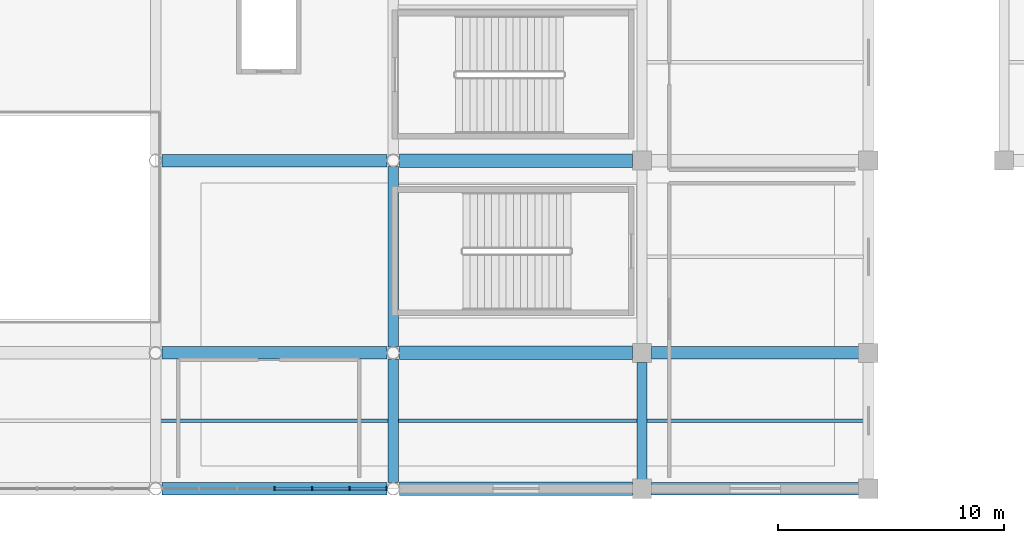
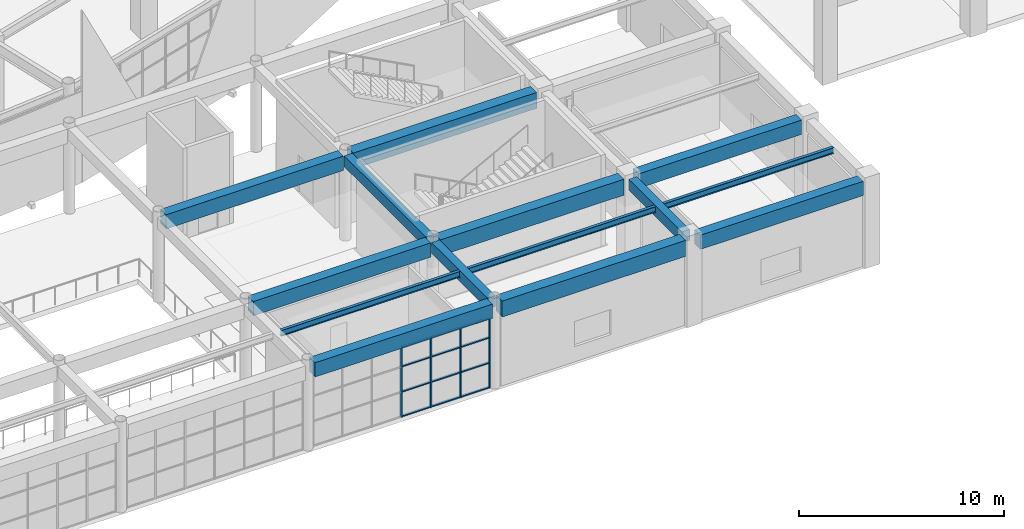
# One storey, part 26 of 120: 16 members, 14 beams, 1 element without a shape of its own.
"""IFC4 building model written with IfcOpenShell, lengths in metres."""

from ifc_helpers import new_model, si_unit, direction, frame, origin, origin_2d, place, context, subcontext, project, spatial, rectangle, i_section, extrude, material, material_profile, profile_set, type_object, element, aggregate, save


model = new_model("IFC4")

# Units and contexts
model_context = context("Model", 3, precision=1e-05, world=origin(), true_north=direction((0.0, 1.0)))
body_context = subcontext(model_context, "Body", "Model", "MODEL_VIEW")
ifc_project = project(units=[si_unit("LENGTHUNIT", "METRE"), si_unit("AREAUNIT", "SQUARE_METRE"), si_unit("VOLUMEUNIT", "CUBIC_METRE"), si_unit("PLANEANGLEUNIT", "RADIAN"), si_unit("MASSUNIT", "GRAM", prefix="KILO")], contexts=[model_context])

# Site, building, storey
site_placement = place(None, origin())
site = spatial("IfcSite", under=ifc_project, at=site_placement, CompositionType="ELEMENT")
building_placement = place(site_placement, origin())
building = spatial("IfcBuilding", under=site, at=building_placement, Name="Cuetzalor Civic Arena", CompositionType="ELEMENT")
storey_placement = place(building_placement, frame((0.0, 0.0, 6.0)))
storey = spatial("IfcBuildingStorey", under=building, at=storey_placement, Name="L01", CompositionType="ELEMENT", Elevation=6.0)

# Beams
ifc_material_1 = material(Name="Concrete C40/50", Category="concrete")
ifc_material_profile_1 = material_profile(ifc_material_1, rectangle(XDim=0.550048828125, YDim=0.85009765625, at=origin_2d()), Name="RC 550x850")
ifc_profile_set_1 = profile_set([ifc_material_profile_1], Name="Concrete C40/50")
beam_type_1 = type_object("IfcBeamType", Name="ConcreteFrameBeam_550x850", PredefinedType="BEAM", material=ifc_profile_set_1)
beam_1_placement = place(storey_placement, frame((10.76953125, -71.5, 4.695068359375), z_axis=(1.0, 0.0, 0.0), x_axis=(0.0, 1.0, 0.0)))
element("IfcBeam", 1, at=beam_1_placement, inside=storey, type_object=beam_type_1, Name="Frame Girder V3-L01-X0294", PredefinedType="BEAM", context=body_context, shape_type="SweptSolid", body=[
    extrude(rectangle(XDim=0.550048828125, YDim=0.85009765625, at=origin_2d()), origin(), (0.0, 0.0, 1.0), 9.9609375),
])
beam_2_placement = place(storey_placement, frame((32.4150390625, -71.5, 4.695068359375), z_axis=(1.0, 0.0, 0.0), x_axis=(0.0, 1.0, 0.0)))
element("IfcBeam", 2, at=beam_2_placement, inside=storey, type_object=beam_type_1, Name="Frame Girder V3-L01-X0296", PredefinedType="BEAM", context=body_context, shape_type="SweptSolid", body=[
    extrude(rectangle(XDim=0.550048828125, YDim=0.85009765625, at=origin_2d()), origin(), (0.0, 0.0, 1.0), 9.169921875),
])
beam_3_placement = place(storey_placement, frame((10.76953125, -65.5, 4.695068359375), z_axis=(1.0, 0.0, 0.0), x_axis=(0.0, 1.0, 0.0)))
element("IfcBeam", 3, at=beam_3_placement, inside=storey, type_object=beam_type_1, Name="Frame Girder V3-L01-X0302", PredefinedType="BEAM", context=body_context, shape_type="SweptSolid", body=[
    extrude(rectangle(XDim=0.550048828125, YDim=0.85009765625, at=origin_2d()), origin(), (0.0, 0.0, 1.0), 9.9609375),
])
beam_4_placement = place(storey_placement, frame((32.4150390625, -65.5, 4.695068359375), z_axis=(1.0, 0.0, 0.0), x_axis=(0.0, 1.0, 0.0)))
element("IfcBeam", 4, at=beam_4_placement, inside=storey, type_object=beam_type_1, Name="Frame Girder V3-L01-X0304", PredefinedType="BEAM", context=body_context, shape_type="SweptSolid", body=[
    extrude(rectangle(XDim=0.550048828125, YDim=0.85009765625, at=origin_2d()), origin(), (0.0, 0.0, 1.0), 9.169921875),
])
beam_5_placement = place(storey_placement, frame((10.76953125, -57.0, 4.695068359375), z_axis=(1.0, 0.0, 0.0), x_axis=(0.0, 1.0, 0.0)))
element("IfcBeam", 5, at=beam_5_placement, inside=storey, type_object=beam_type_1, Name="Frame Girder V3-L01-X0308", PredefinedType="BEAM", context=body_context, shape_type="SweptSolid", body=[
    extrude(rectangle(XDim=0.550048828125, YDim=0.85009765625, at=origin_2d()), origin(), (0.0, 0.0, 1.0), 9.9609375),
])
ifc_material_2 = material(Name="Concrete C40/50", Category="concrete")
ifc_material_profile_2 = material_profile(ifc_material_2, rectangle(XDim=0.60009765625, YDim=0.949951171875, at=origin_2d()), Name="RC 600x950")
ifc_profile_set_2 = profile_set([ifc_material_profile_2], Name="Concrete C40/50")
beam_type_2 = type_object("IfcBeamType", Name="ConcreteFrameBeam_600x950", PredefinedType="BEAM", material=ifc_profile_set_2)
for number, where, z_axis, x_axis, name in (
    (6, (21.26953125, -71.5, 4.64501953125), (1.0, 0.0, 0.0), (0.0, 1.0, 0.0), "Frame Girder V3-L01-X0295"),
    (7, (21.26953125, -65.5, 4.64501953125), (1.0, 0.0, 0.0), (0.0, 1.0, 0.0), "Frame Girder V3-L01-X0303"),
    (8, (21.26953125, -57.0, 4.64501953125), (1.0, 0.0, 0.0), (0.0, 1.0, 0.0), "Frame Girder V3-L01-X0309"),
):
    element("IfcBeam", number, at=place(storey_placement, frame(where, z_axis=z_axis, x_axis=x_axis)), inside=storey, type_object=beam_type_2, Name=name, PredefinedType="BEAM", context=body_context, shape_type="SweptSolid", body=[
        extrude(rectangle(XDim=0.60009765625, YDim=0.949951171875, at=origin_2d()), origin(), (0.0, 0.0, 1.0), 10.3154296875),
    ])
ifc_material_3 = material(Name="Concrete C40/50", Category="concrete")
ifc_material_profile_3 = material_profile(ifc_material_3, rectangle(XDim=0.449951171875, YDim=0.64990234375, at=origin_2d()), Name="RC 450x650")
ifc_profile_set_3 = profile_set([ifc_material_profile_3], Name="Concrete C40/50")
beam_type_3 = type_object("IfcBeamType", Name="ConcreteTieBeam_450x650", PredefinedType="BEAM", material=ifc_profile_set_3)
beam_6_placement = place(storey_placement, frame((21.0, -71.23046875, 4.794921875), z_axis=(0.0, 1.0, 0.0), x_axis=(-1.0, 0.0, 0.0)))
element("IfcBeam", 9, at=beam_6_placement, inside=storey, type_object=beam_type_3, Name="Frame Girder V3-L01-Y0336", PredefinedType="BEAM", context=body_context, shape_type="SweptSolid", body=[
    extrude(rectangle(XDim=0.449951171875, YDim=0.64990234375, at=origin_2d()), origin(), (0.0, 0.0, 1.0), 5.4609375),
])
beam_7_placement = place(storey_placement, frame((21.0, -65.23046875, 4.794921875), z_axis=(0.0, 1.0, 0.0), x_axis=(-1.0, 0.0, 0.0)))
element("IfcBeam", 10, at=beam_7_placement, inside=storey, type_object=beam_type_3, Name="Frame Girder V3-L01-Y0337", PredefinedType="BEAM", context=body_context, shape_type="SweptSolid", body=[
    extrude(rectangle(XDim=0.449951171875, YDim=0.64990234375, at=origin_2d()), origin(), (0.0, 0.0, 1.0), 7.9609375),
])
beam_8_placement = place(storey_placement, frame((32.0, -71.0849609375, 4.794921875), z_axis=(0.0, 1.0, 0.0), x_axis=(-1.0, 0.0, 0.0)))
element("IfcBeam", 11, at=beam_8_placement, inside=storey, type_object=beam_type_3, Name="Frame Girder V3-L01-Y0339", PredefinedType="BEAM", context=body_context, shape_type="SweptSolid", body=[
    extrude(rectangle(XDim=0.449951171875, YDim=0.64990234375, at=origin_2d()), origin(), (0.0, 0.0, 1.0), 5.169921875),
])

# Curtain wall, members
ifc_material_4 = material(Name="Anodised dark bronze aluminium and low-E solar glass", Category="aluminium")
curtain_wall_type = type_object("IfcCurtainWallType", Name="StickCW_10000x4150", PredefinedType="USERDEFINED", material=ifc_material_4)
curtain_wall_placement = place(storey_placement, origin())
curtain_wall = element("IfcCurtainWall", 12, at=curtain_wall_placement, inside=storey, type_object=curtain_wall_type, Name="South Civic Square Curtain Wall L01-086", ObjectType="STICK CURTAIN WALL", PredefinedType="USERDEFINED")
ifc_material_5 = material(Name="Anodised dark bronze aluminium", Category="aluminium")
ifc_material_profile_4 = material_profile(ifc_material_5, rectangle(XDim=0.06494140625, YDim=0.14990234375, at=origin_2d()), Name="ALU MULLION 65x150")
ifc_profile_set_4 = profile_set([ifc_material_profile_4], Name="Anodised dark bronze aluminium")
member_type_1 = type_object("IfcMemberType", Name="CurtainWallMullion_60x150", PredefinedType="MULLION", material=ifc_profile_set_4)
member_1_placement = place(storey_placement, frame((20.7060546875, -71.5, 0.0), z_axis=(0.0, 0.0, 1.0), x_axis=(-1.0, 0.0, 0.0)))
member_1 = element("IfcMember", 13, at=member_1_placement, type_object=member_type_1, Name="CW-25 mullion 1", PredefinedType="MULLION", context=body_context, shape_type="SweptSolid", body=[
    extrude(rectangle(XDim=0.06494140625, YDim=0.14990234375, at=origin_2d()), origin(), (0.0, 0.0, 1.0), 4.159912109375),
])
member_2_placement = place(storey_placement, frame((19.07568359375, -71.5, 0.0), z_axis=(0.0, 0.0, 1.0), x_axis=(-1.0, 0.0, 0.0)))
member_2 = element("IfcMember", 14, at=member_2_placement, type_object=member_type_1, Name="CW-25 mullion 2", PredefinedType="MULLION", context=body_context, shape_type="SweptSolid", body=[
    extrude(rectangle(XDim=0.06494140625, YDim=0.14990234375, at=origin_2d()), origin(), (0.0, 0.0, 1.0), 4.159912109375),
])
member_3_placement = place(storey_placement, frame((17.412841796875, -71.5, 0.0), z_axis=(0.0, 0.0, 1.0), x_axis=(-1.0, 0.0, 0.0)))
member_3 = element("IfcMember", 15, at=member_3_placement, type_object=member_type_1, Name="CW-25 mullion 3", PredefinedType="MULLION", context=body_context, shape_type="SweptSolid", body=[
    extrude(rectangle(XDim=0.06494140625, YDim=0.14990234375, at=origin_2d()), origin(), (0.0, 0.0, 1.0), 4.159912109375),
])
member_4_placement = place(storey_placement, frame((15.75, -71.5, 0.0), z_axis=(0.0, 0.0, 1.0), x_axis=(-1.0, 0.0, 0.0)))
member_4 = element("IfcMember", 16, at=member_4_placement, type_object=member_type_1, Name="CW-25 mullion 4", PredefinedType="MULLION", context=body_context, shape_type="SweptSolid", body=[
    extrude(rectangle(XDim=0.06494140625, YDim=0.14990234375, at=origin_2d()), origin(), (0.0, 0.0, 1.0), 4.159912109375),
])
ifc_material_6 = material(Name="Anodised dark bronze aluminium", Category="aluminium")
ifc_material_profile_5 = material_profile(ifc_material_6, rectangle(XDim=0.1201171875, YDim=0.06494140625, at=origin_2d()), Name="ALU TRANSOM 65x120")
ifc_profile_set_5 = profile_set([ifc_material_profile_5], Name="Anodised dark bronze aluminium")
member_type_2 = type_object("IfcMemberType", Name="CurtainWallTransom_60x120", PredefinedType="USERDEFINED", material=ifc_profile_set_5)
member_5_placement = place(storey_placement, frame((20.673583984375, -71.5, 0.032470703125), z_axis=(-1.0, 0.0, 0.0), x_axis=(0.0, -1.0, 0.0)))
member_5 = element("IfcMember", 17, at=member_5_placement, type_object=member_type_2, Name="CW-25 transom 1.1", ObjectType="TRANSOM", PredefinedType="USERDEFINED", context=body_context, shape_type="SweptSolid", body=[
    extrude(rectangle(XDim=0.1201171875, YDim=0.06494140625, at=origin_2d()), origin(), (0.0, 0.0, 1.0), 1.5654296875),
])
member_6_placement = place(storey_placement, frame((20.673583984375, -71.5, 1.498046875), z_axis=(-1.0, 0.0, 0.0), x_axis=(0.0, -1.0, 0.0)))
member_6 = element("IfcMember", 18, at=member_6_placement, type_object=member_type_2, Name="CW-25 transom 1.2", ObjectType="TRANSOM", PredefinedType="USERDEFINED", context=body_context, shape_type="SweptSolid", body=[
    extrude(rectangle(XDim=0.1201171875, YDim=0.06494140625, at=origin_2d()), origin(), (0.0, 0.0, 1.0), 1.5654296875),
])
member_7_placement = place(storey_placement, frame((20.673583984375, -71.5, 2.9951171875), z_axis=(-1.0, 0.0, 0.0), x_axis=(0.0, -1.0, 0.0)))
member_7 = element("IfcMember", 19, at=member_7_placement, type_object=member_type_2, Name="CW-25 transom 1.3", ObjectType="TRANSOM", PredefinedType="USERDEFINED", context=body_context, shape_type="SweptSolid", body=[
    extrude(rectangle(XDim=0.1201171875, YDim=0.06494140625, at=origin_2d()), origin(), (0.0, 0.0, 1.0), 1.5654296875),
])
member_8_placement = place(storey_placement, frame((20.673583984375, -71.5, 4.12744140625), z_axis=(-1.0, 0.0, 0.0), x_axis=(0.0, -1.0, 0.0)))
member_8 = element("IfcMember", 20, at=member_8_placement, type_object=member_type_2, Name="CW-25 transom 1.4", ObjectType="TRANSOM", PredefinedType="USERDEFINED", context=body_context, shape_type="SweptSolid", body=[
    extrude(rectangle(XDim=0.1201171875, YDim=0.06494140625, at=origin_2d()), origin(), (0.0, 0.0, 1.0), 1.5654296875),
])
member_9_placement = place(storey_placement, frame((19.043212890625, -71.5, 0.032470703125), z_axis=(-1.0, 0.0, 0.0), x_axis=(0.0, -1.0, 0.0)))
member_9 = element("IfcMember", 21, at=member_9_placement, type_object=member_type_2, Name="CW-25 transom 2.1", ObjectType="TRANSOM", PredefinedType="USERDEFINED", context=body_context, shape_type="SweptSolid", body=[
    extrude(rectangle(XDim=0.1201171875, YDim=0.06494140625, at=origin_2d()), origin(), (0.0, 0.0, 1.0), 1.597900390625),
])
member_10_placement = place(storey_placement, frame((19.043212890625, -71.5, 1.498046875), z_axis=(-1.0, 0.0, 0.0), x_axis=(0.0, -1.0, 0.0)))
member_10 = element("IfcMember", 22, at=member_10_placement, type_object=member_type_2, Name="CW-25 transom 2.2", ObjectType="TRANSOM", PredefinedType="USERDEFINED", context=body_context, shape_type="SweptSolid", body=[
    extrude(rectangle(XDim=0.1201171875, YDim=0.06494140625, at=origin_2d()), origin(), (0.0, 0.0, 1.0), 1.597900390625),
])
member_11_placement = place(storey_placement, frame((19.043212890625, -71.5, 2.9951171875), z_axis=(-1.0, 0.0, 0.0), x_axis=(0.0, -1.0, 0.0)))
member_11 = element("IfcMember", 23, at=member_11_placement, type_object=member_type_2, Name="CW-25 transom 2.3", ObjectType="TRANSOM", PredefinedType="USERDEFINED", context=body_context, shape_type="SweptSolid", body=[
    extrude(rectangle(XDim=0.1201171875, YDim=0.06494140625, at=origin_2d()), origin(), (0.0, 0.0, 1.0), 1.597900390625),
])
member_12_placement = place(storey_placement, frame((19.043212890625, -71.5, 4.12744140625), z_axis=(-1.0, 0.0, 0.0), x_axis=(0.0, -1.0, 0.0)))
member_12 = element("IfcMember", 24, at=member_12_placement, type_object=member_type_2, Name="CW-25 transom 2.4", ObjectType="TRANSOM", PredefinedType="USERDEFINED", context=body_context, shape_type="SweptSolid", body=[
    extrude(rectangle(XDim=0.1201171875, YDim=0.06494140625, at=origin_2d()), origin(), (0.0, 0.0, 1.0), 1.597900390625),
])
member_13_placement = place(storey_placement, frame((17.38037109375, -71.5, 0.032470703125), z_axis=(-1.0, 0.0, 0.0), x_axis=(0.0, -1.0, 0.0)))
member_13 = element("IfcMember", 25, at=member_13_placement, type_object=member_type_2, Name="CW-25 transom 3.1", ObjectType="TRANSOM", PredefinedType="USERDEFINED", context=body_context, shape_type="SweptSolid", body=[
    extrude(rectangle(XDim=0.1201171875, YDim=0.06494140625, at=origin_2d()), origin(), (0.0, 0.0, 1.0), 1.597900390625),
])
member_14_placement = place(storey_placement, frame((17.38037109375, -71.5, 1.498046875), z_axis=(-1.0, 0.0, 0.0), x_axis=(0.0, -1.0, 0.0)))
member_14 = element("IfcMember", 26, at=member_14_placement, type_object=member_type_2, Name="CW-25 transom 3.2", ObjectType="TRANSOM", PredefinedType="USERDEFINED", context=body_context, shape_type="SweptSolid", body=[
    extrude(rectangle(XDim=0.1201171875, YDim=0.06494140625, at=origin_2d()), origin(), (0.0, 0.0, 1.0), 1.597900390625),
])
member_15_placement = place(storey_placement, frame((17.38037109375, -71.5, 2.9951171875), z_axis=(-1.0, 0.0, 0.0), x_axis=(0.0, -1.0, 0.0)))
member_15 = element("IfcMember", 27, at=member_15_placement, type_object=member_type_2, Name="CW-25 transom 3.3", ObjectType="TRANSOM", PredefinedType="USERDEFINED", context=body_context, shape_type="SweptSolid", body=[
    extrude(rectangle(XDim=0.1201171875, YDim=0.06494140625, at=origin_2d()), origin(), (0.0, 0.0, 1.0), 1.597900390625),
])
member_16_placement = place(storey_placement, frame((17.38037109375, -71.5, 4.12744140625), z_axis=(-1.0, 0.0, 0.0), x_axis=(0.0, -1.0, 0.0)))
member_16 = element("IfcMember", 28, at=member_16_placement, type_object=member_type_2, Name="CW-25 transom 3.4", ObjectType="TRANSOM", PredefinedType="USERDEFINED", context=body_context, shape_type="SweptSolid", body=[
    extrude(rectangle(XDim=0.1201171875, YDim=0.06494140625, at=origin_2d()), origin(), (0.0, 0.0, 1.0), 1.597900390625),
])
aggregate(curtain_wall, [member_1, member_2, member_3, member_4, member_5, member_6, member_7, member_8, member_9, member_10, member_11, member_12, member_13, member_14, member_15, member_16])

# Beams
ifc_material_7 = material(Name="Steel S355", Category="steel")
ifc_material_profile_6 = material_profile(ifc_material_7, i_section(OverallWidth=0.1708984375, OverallDepth=0.35498046875, WebThickness=0.007080078125, FlangeThickness=0.01171875, at=origin_2d()), Name="W360x51")
ifc_profile_set_6 = profile_set([ifc_material_profile_6], Name="Steel S355")
beam_type_4 = type_object("IfcBeamType", Name="SecondaryFloorJoist_W360", PredefinedType="JOIST", material=ifc_profile_set_6)
beam_9_placement = place(storey_placement, frame((10.717041015625, -68.5, 4.9423828125), z_axis=(1.0, 0.0, 0.0), x_axis=(0.0, 1.0, 0.0)))
element("IfcBeam", 29, at=beam_9_placement, inside=storey, type_object=beam_type_4, Name="Secondary Floor Joist V3-L01-0099", PredefinedType="JOIST", context=body_context, shape_type="SweptSolid", body=[
    extrude(i_section(OverallWidth=0.1708984375, OverallDepth=0.35498046875, WebThickness=0.007080078125, FlangeThickness=0.01171875, at=origin_2d()), origin(), (0.0, 0.0, 1.0), 10.06591796875),
])
beam_10_placement = place(storey_placement, frame((21.217041015625, -68.5, 4.9423828125), z_axis=(1.0, 0.0, 0.0), x_axis=(0.0, 1.0, 0.0)))
element("IfcBeam", 30, at=beam_10_placement, inside=storey, type_object=beam_type_4, Name="Secondary Floor Joist V3-L01-0100", PredefinedType="JOIST", context=body_context, shape_type="SweptSolid", body=[
    extrude(i_section(OverallWidth=0.1708984375, OverallDepth=0.35498046875, WebThickness=0.007080078125, FlangeThickness=0.01171875, at=origin_2d()), origin(), (0.0, 0.0, 1.0), 10.56591796875),
])
beam_11_placement = place(storey_placement, frame((32.217041015625, -68.5, 4.9423828125), z_axis=(1.0, 0.0, 0.0), x_axis=(0.0, 1.0, 0.0)))
element("IfcBeam", 31, at=beam_11_placement, inside=storey, type_object=beam_type_4, Name="Secondary Floor Joist V3-L01-0102", PredefinedType="JOIST", context=body_context, shape_type="SweptSolid", body=[
    extrude(i_section(OverallWidth=0.1708984375, OverallDepth=0.35498046875, WebThickness=0.007080078125, FlangeThickness=0.01171875, at=origin_2d()), origin(), (0.0, 0.0, 1.0), 9.56591796875),
])

save(model, "model.ifc")
